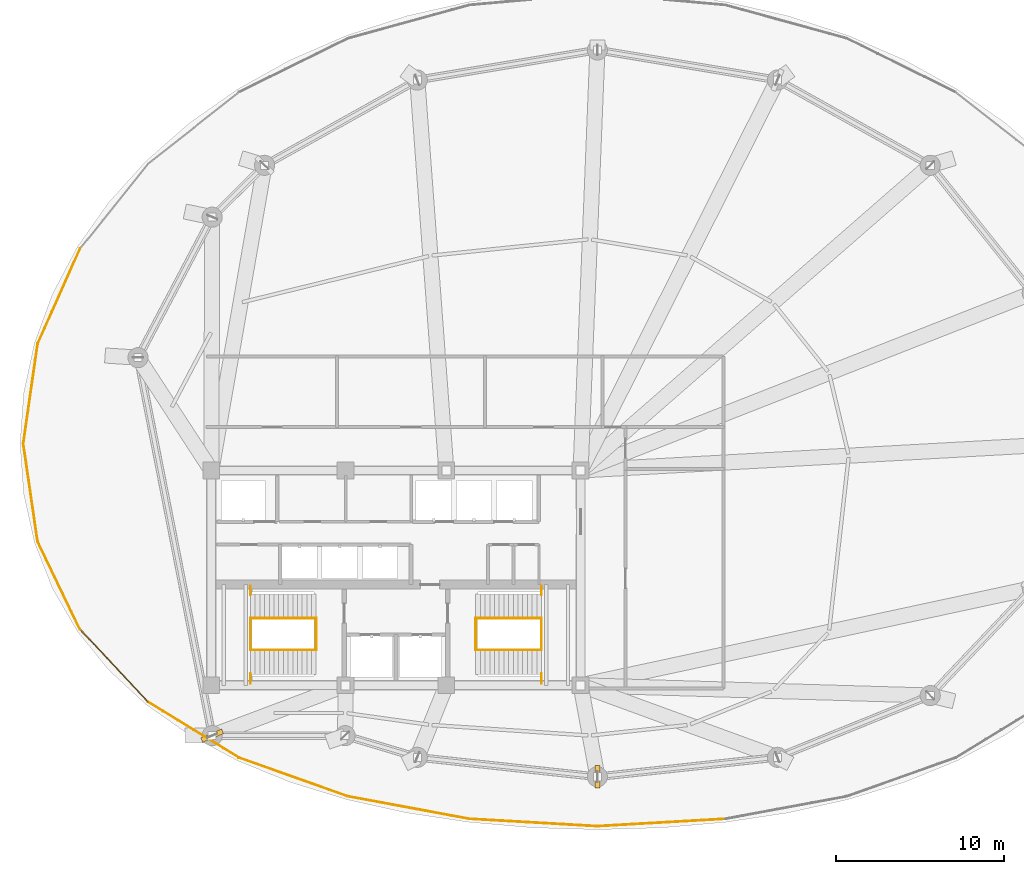
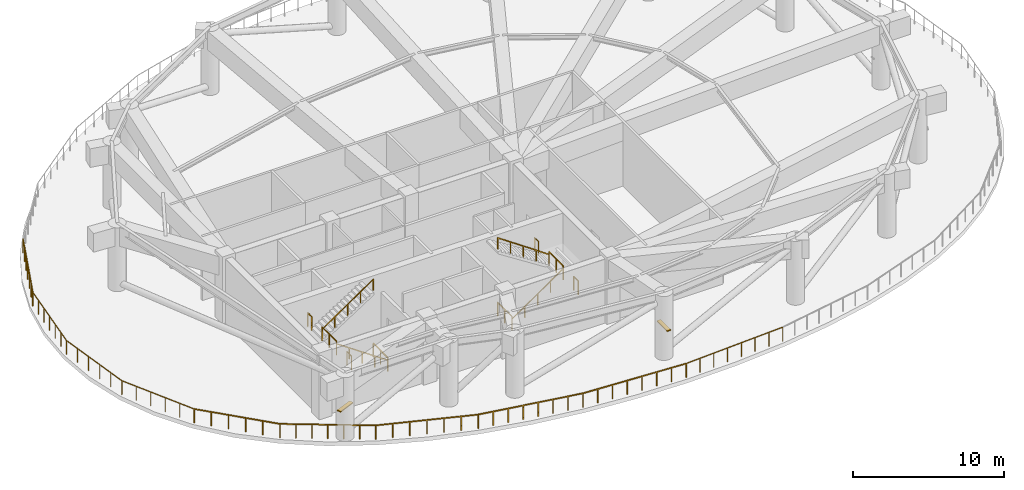
# One storey, part 8 of 9: 22 railings, 2 shading devices.
"""IFC4 building model written with IfcOpenShell, lengths in metres."""

from ifc_helpers import new_model, si_unit, direction, frame, origin, origin_2d, place, context, subcontext, project, spatial, rectangle, extrude, material, type_object, element, save


model = new_model("IFC4")

# Units and contexts
model_context = context("Model", 3, precision=1e-05, world=origin(), true_north=direction((0.0, 1.0)))
body_context = subcontext(model_context, "Body", "Model", "MODEL_VIEW")
ifc_project = project(units=[si_unit("LENGTHUNIT", "METRE"), si_unit("AREAUNIT", "SQUARE_METRE"), si_unit("VOLUMEUNIT", "CUBIC_METRE"), si_unit("PLANEANGLEUNIT", "RADIAN"), si_unit("MASSUNIT", "GRAM", prefix="KILO")], contexts=[model_context])

# Site, building, storey
site_placement = place(None, origin())
site = spatial("IfcSite", under=ifc_project, at=site_placement, CompositionType="ELEMENT")
building_placement = place(site_placement, origin())
building = spatial("IfcBuilding", under=site, at=building_placement, Name="Kazevale Care Tower and Concert Hall", CompositionType="ELEMENT")
storey_placement = place(building_placement, frame((0.0, 0.0, 181.800048828125)))
storey = spatial("IfcBuildingStorey", under=building, at=storey_placement, Name="L48", CompositionType="ELEMENT", Elevation=181.800048828125)

# Railings
ifc_material_1 = material(Name="Stainless Steel 316", Category="steel")
railing_type_1 = type_object("IfcRailingType", Name="Stair Pitch Handrail 920", PredefinedType="HANDRAIL", material=ifc_material_1)
railing_1_placement = place(storey_placement, frame((28.25, 25.699951171875, 0.0)))
element("IfcRailing", 1, at=railing_1_placement, inside=storey, type_object=railing_type_1, Name="stair:L48:ST1:hr1", PredefinedType="HANDRAIL", context=body_context, shape_type="SweptSolid", body=[
    extrude(rectangle(XDim=0.048095703125, YDim=0.048095703125, at=origin_2d()), frame((0.0, 0.0, 0.89599609375), z_axis=(-0.823550731654, 0.0, 0.567242622158), x_axis=(0.0, -1.0, 0.0)), (0.0, 0.0, 1.0), 4.759765625),
    extrude(rectangle(XDim=0.0419921875, YDim=0.0419921875, at=origin_2d()), origin(), (0.0, 0.0, 1.0), 0.871826171875),
    extrude(rectangle(XDim=0.0419921875, YDim=0.0419921875, at=origin_2d()), frame((-0.97998046875, 0.0, 0.675048828125)), (0.0, 0.0, 1.0), 0.871826171875),
    extrude(rectangle(XDim=0.0419921875, YDim=0.0419921875, at=origin_2d()), frame((-1.9599609375, 0.0, 1.35009765625)), (0.0, 0.0, 1.0), 0.871826171875),
    extrude(rectangle(XDim=0.0419921875, YDim=0.0419921875, at=origin_2d()), frame((-2.93994140625, 0.0, 2.02490234375)), (0.0, 0.0, 1.0), 0.871826171875),
    extrude(rectangle(XDim=0.0419921875, YDim=0.0419921875, at=origin_2d()), frame((-3.919921875, 0.0, 2.699951171875)), (0.0, 0.0, 1.0), 0.871826171875),
])
for number, where, name in (
    (2, (24.330078125, 27.60009765625, 2.699951171875), "stair:L48:ST1:hr2"),
    (3, (37.75, 25.699951171875, 0.0), "stair:L48:ST2:hr1"),
):
    element("IfcRailing", number, at=place(storey_placement, frame(where)), inside=storey, type_object=railing_type_1, Name=name, PredefinedType="HANDRAIL", context=body_context, shape_type="SweptSolid", body=[
        extrude(rectangle(XDim=0.048095703125, YDim=0.048095703125, at=origin_2d()), frame((0.0, 0.0, 0.89599609375), z_axis=(0.823550731654, 0.0, 0.567242622158), x_axis=(0.0, 1.0, 0.0)), (0.0, 0.0, 1.0), 4.759765625),
        extrude(rectangle(XDim=0.0419921875, YDim=0.0419921875, at=origin_2d()), origin(), (0.0, 0.0, 1.0), 0.871826171875),
        extrude(rectangle(XDim=0.0419921875, YDim=0.0419921875, at=origin_2d()), frame((0.97998046875, 0.0, 0.675048828125)), (0.0, 0.0, 1.0), 0.871826171875),
        extrude(rectangle(XDim=0.0419921875, YDim=0.0419921875, at=origin_2d()), frame((1.9599609375, 0.0, 1.35009765625)), (0.0, 0.0, 1.0), 0.871826171875),
        extrude(rectangle(XDim=0.0419921875, YDim=0.0419921875, at=origin_2d()), frame((2.93994140625, 0.0, 2.02490234375)), (0.0, 0.0, 1.0), 0.871826171875),
        extrude(rectangle(XDim=0.0419921875, YDim=0.0419921875, at=origin_2d()), frame((3.919921875, 0.0, 2.699951171875)), (0.0, 0.0, 1.0), 0.871826171875),
    ])
railing_2_placement = place(storey_placement, frame((41.669921875, 27.60009765625, 2.699951171875)))
element("IfcRailing", 4, at=railing_2_placement, inside=storey, type_object=railing_type_1, Name="stair:L48:ST2:hr2", PredefinedType="HANDRAIL", context=body_context, shape_type="SweptSolid", body=[
    extrude(rectangle(XDim=0.048095703125, YDim=0.048095703125, at=origin_2d()), frame((0.0, 0.0, 0.89599609375), z_axis=(-0.823550731654, 0.0, 0.567242622158), x_axis=(0.0, -1.0, 0.0)), (0.0, 0.0, 1.0), 4.759765625),
    extrude(rectangle(XDim=0.0419921875, YDim=0.0419921875, at=origin_2d()), origin(), (0.0, 0.0, 1.0), 0.871826171875),
    extrude(rectangle(XDim=0.0419921875, YDim=0.0419921875, at=origin_2d()), frame((-0.97998046875, 0.0, 0.675048828125)), (0.0, 0.0, 1.0), 0.871826171875),
    extrude(rectangle(XDim=0.0419921875, YDim=0.0419921875, at=origin_2d()), frame((-1.9599609375, 0.0, 1.35009765625)), (0.0, 0.0, 1.0), 0.871826171875),
    extrude(rectangle(XDim=0.0419921875, YDim=0.0419921875, at=origin_2d()), frame((-2.93994140625, 0.0, 2.02490234375)), (0.0, 0.0, 1.0), 0.871826171875),
    extrude(rectangle(XDim=0.0419921875, YDim=0.0419921875, at=origin_2d()), frame((-3.919921875, 0.0, 2.699951171875)), (0.0, 0.0, 1.0), 0.871826171875),
])
railing_type_2 = type_object("IfcRailingType", Name="Stair Well Guard Balustrade 1120", PredefinedType="BALUSTRADE", material=ifc_material_1)
railing_3_placement = place(storey_placement, frame((24.330078125, 23.699951171875, 2.699951171875)))
element("IfcRailing", 5, at=railing_3_placement, inside=storey, type_object=railing_type_2, Name="stair:L48:ST1:grd_side1", PredefinedType="BALUSTRADE", context=body_context, shape_type="SweptSolid", body=[
    extrude(rectangle(XDim=0.048095703125, YDim=0.048095703125, at=origin_2d()), frame((0.0, 0.0, 1.09619140625), z_axis=(0.0, 1.0, 0.0), x_axis=(-1.0, 0.0, 0.0)), (0.0, 0.0, 1.0), 0.610107421875),
    extrude(rectangle(XDim=0.0419921875, YDim=0.0419921875, at=origin_2d()), origin(), (0.0, 0.0, 1.0), 1.072021484375),
    extrude(rectangle(XDim=0.0419921875, YDim=0.0419921875, at=origin_2d()), frame((0.0, 0.610107421875, 0.0)), (0.0, 0.0, 1.0), 1.072021484375),
])
railing_4_placement = place(storey_placement, frame((24.330078125, 28.989990234375, 2.699951171875)))
element("IfcRailing", 6, at=railing_4_placement, inside=storey, type_object=railing_type_2, Name="stair:L48:ST1:grd_side2", PredefinedType="BALUSTRADE", context=body_context, shape_type="SweptSolid", body=[
    extrude(rectangle(XDim=0.048095703125, YDim=0.048095703125, at=origin_2d()), frame((0.0, 0.0, 1.09619140625), z_axis=(0.0, 1.0, 0.0), x_axis=(-1.0, 0.0, 0.0)), (0.0, 0.0, 1.0), 0.510009765625),
    extrude(rectangle(XDim=0.0419921875, YDim=0.0419921875, at=origin_2d()), origin(), (0.0, 0.0, 1.0), 1.072021484375),
    extrude(rectangle(XDim=0.0419921875, YDim=0.0419921875, at=origin_2d()), frame((0.0, 0.510009765625, 0.0)), (0.0, 0.0, 1.0), 1.072021484375),
])
for number, where, name in (
    (7, (24.330078125, 25.699951171875, 2.699951171875), "stair:L48:ST1:grd_mid"),
    (8, (28.25, 25.699951171875, 0.0), "stair:L48:ST1:grd_flr"),
):
    element("IfcRailing", number, at=place(storey_placement, frame(where)), inside=storey, type_object=railing_type_2, Name=name, PredefinedType="BALUSTRADE", context=body_context, shape_type="SweptSolid", body=[
        extrude(rectangle(XDim=0.048095703125, YDim=0.048095703125, at=origin_2d()), frame((0.0, 0.0, 1.09619140625), z_axis=(0.0, 1.0, 0.0), x_axis=(-1.0, 0.0, 0.0)), (0.0, 0.0, 1.0), 1.900146484375),
        extrude(rectangle(XDim=0.0419921875, YDim=0.0419921875, at=origin_2d()), origin(), (0.0, 0.0, 1.0), 1.072021484375),
        extrude(rectangle(XDim=0.0419921875, YDim=0.0419921875, at=origin_2d()), frame((0.0, 0.9501953125, 0.0)), (0.0, 0.0, 1.0), 1.072021484375),
        extrude(rectangle(XDim=0.0419921875, YDim=0.0419921875, at=origin_2d()), frame((0.0, 1.900146484375, 0.0)), (0.0, 0.0, 1.0), 1.072021484375),
    ])
railing_5_placement = place(storey_placement, frame((41.669921875, 23.699951171875, 2.699951171875)))
element("IfcRailing", 9, at=railing_5_placement, inside=storey, type_object=railing_type_2, Name="stair:L48:ST2:grd_side1", PredefinedType="BALUSTRADE", context=body_context, shape_type="SweptSolid", body=[
    extrude(rectangle(XDim=0.048095703125, YDim=0.048095703125, at=origin_2d()), frame((0.0, 0.0, 1.09619140625), z_axis=(0.0, 1.0, 0.0), x_axis=(-1.0, 0.0, 0.0)), (0.0, 0.0, 1.0), 0.610107421875),
    extrude(rectangle(XDim=0.0419921875, YDim=0.0419921875, at=origin_2d()), origin(), (0.0, 0.0, 1.0), 1.072021484375),
    extrude(rectangle(XDim=0.0419921875, YDim=0.0419921875, at=origin_2d()), frame((0.0, 0.610107421875, 0.0)), (0.0, 0.0, 1.0), 1.072021484375),
])
railing_6_placement = place(storey_placement, frame((41.669921875, 28.989990234375, 2.699951171875)))
element("IfcRailing", 10, at=railing_6_placement, inside=storey, type_object=railing_type_2, Name="stair:L48:ST2:grd_side2", PredefinedType="BALUSTRADE", context=body_context, shape_type="SweptSolid", body=[
    extrude(rectangle(XDim=0.048095703125, YDim=0.048095703125, at=origin_2d()), frame((0.0, 0.0, 1.09619140625), z_axis=(0.0, 1.0, 0.0), x_axis=(-1.0, 0.0, 0.0)), (0.0, 0.0, 1.0), 0.510009765625),
    extrude(rectangle(XDim=0.0419921875, YDim=0.0419921875, at=origin_2d()), origin(), (0.0, 0.0, 1.0), 1.072021484375),
    extrude(rectangle(XDim=0.0419921875, YDim=0.0419921875, at=origin_2d()), frame((0.0, 0.510009765625, 0.0)), (0.0, 0.0, 1.0), 1.072021484375),
])
for number, where, name in (
    (11, (41.669921875, 25.699951171875, 2.699951171875), "stair:L48:ST2:grd_mid"),
    (12, (37.75, 25.699951171875, 0.0), "stair:L48:ST2:grd_flr"),
):
    element("IfcRailing", number, at=place(storey_placement, frame(where)), inside=storey, type_object=railing_type_2, Name=name, PredefinedType="BALUSTRADE", context=body_context, shape_type="SweptSolid", body=[
        extrude(rectangle(XDim=0.048095703125, YDim=0.048095703125, at=origin_2d()), frame((0.0, 0.0, 1.09619140625), z_axis=(0.0, 1.0, 0.0), x_axis=(-1.0, 0.0, 0.0)), (0.0, 0.0, 1.0), 1.900146484375),
        extrude(rectangle(XDim=0.0419921875, YDim=0.0419921875, at=origin_2d()), origin(), (0.0, 0.0, 1.0), 1.072021484375),
        extrude(rectangle(XDim=0.0419921875, YDim=0.0419921875, at=origin_2d()), frame((0.0, 0.9501953125, 0.0)), (0.0, 0.0, 1.0), 1.072021484375),
        extrude(rectangle(XDim=0.0419921875, YDim=0.0419921875, at=origin_2d()), frame((0.0, 1.900146484375, 0.0)), (0.0, 0.0, 1.0), 1.072021484375),
    ])
railing_type_3 = type_object("IfcRailingType", Name="Wind-Floor & Portal Guardrail 1150", PredefinedType="BALUSTRADE", material=ifc_material_1)
railing_7_placement = place(storey_placement, frame((52.631103515625, 15.638916015625, 0.0)))
element("IfcRailing", 13, at=railing_7_placement, inside=storey, type_object=railing_type_3, Name="rail:L48:wind_perim:07", PredefinedType="BALUSTRADE", context=body_context, shape_type="SweptSolid", body=[
    extrude(rectangle(XDim=0.048095703125, YDim=0.048095703125, at=origin_2d()), frame((0.0, 0.0, 1.1259765625), z_axis=(-0.998349640171, -0.057428180984, 0.0), x_axis=(0.057428180984, -0.998349640171, 0.0)), (0.0, 0.0, 1.0), 7.643798828125),
    extrude(rectangle(XDim=0.0419921875, YDim=0.0419921875, at=origin_2d()), origin(), (0.0, 0.0, 1.0), 1.101806640625),
    extrude(rectangle(XDim=0.0419921875, YDim=0.0419921875, at=origin_2d()), frame((-1.090087890625, -0.062744140625, 0.0)), (0.0, 0.0, 1.0), 1.101806640625),
    extrude(rectangle(XDim=0.0419921875, YDim=0.0419921875, at=origin_2d()), frame((-2.180419921875, -0.12548828125, 0.0)), (0.0, 0.0, 1.0), 1.101806640625),
    extrude(rectangle(XDim=0.0419921875, YDim=0.0419921875, at=origin_2d()), frame((-3.2705078125, -0.188232421875, 0.0)), (0.0, 0.0, 1.0), 1.101806640625),
    extrude(rectangle(XDim=0.0419921875, YDim=0.0419921875, at=origin_2d()), frame((-4.360595703125, -0.250732421875, 0.0)), (0.0, 0.0, 1.0), 1.101806640625),
    extrude(rectangle(XDim=0.0419921875, YDim=0.0419921875, at=origin_2d()), frame((-5.45068359375, -0.3134765625, 0.0)), (0.0, 0.0, 1.0), 1.101806640625),
    extrude(rectangle(XDim=0.0419921875, YDim=0.0419921875, at=origin_2d()), frame((-6.541015625, -0.376220703125, 0.0)), (0.0, 0.0, 1.0), 1.101806640625),
    extrude(rectangle(XDim=0.0419921875, YDim=0.0419921875, at=origin_2d()), frame((-7.631103515625, -0.43896484375, 0.0)), (0.0, 0.0, 1.0), 1.101806640625),
])
railing_8_placement = place(storey_placement, frame((45.0, 15.199951171875, 0.0)))
element("IfcRailing", 14, at=railing_8_placement, inside=storey, type_object=railing_type_3, Name="rail:L48:wind_perim:08", PredefinedType="BALUSTRADE", context=body_context, shape_type="SweptSolid", body=[
    extrude(rectangle(XDim=0.048095703125, YDim=0.048095703125, at=origin_2d()), frame((0.0, 0.0, 1.1259765625), z_axis=(-0.998349640171, 0.057428180984, 0.0), x_axis=(-0.057428180984, -0.998349640171, 0.0)), (0.0, 0.0, 1.0), 7.643798828125),
    extrude(rectangle(XDim=0.0419921875, YDim=0.0419921875, at=origin_2d()), origin(), (0.0, 0.0, 1.0), 1.101806640625),
    extrude(rectangle(XDim=0.0419921875, YDim=0.0419921875, at=origin_2d()), frame((-1.090087890625, 0.062744140625, 0.0)), (0.0, 0.0, 1.0), 1.101806640625),
    extrude(rectangle(XDim=0.0419921875, YDim=0.0419921875, at=origin_2d()), frame((-2.180419921875, 0.12548828125, 0.0)), (0.0, 0.0, 1.0), 1.101806640625),
    extrude(rectangle(XDim=0.0419921875, YDim=0.0419921875, at=origin_2d()), frame((-3.2705078125, 0.188232421875, 0.0)), (0.0, 0.0, 1.0), 1.101806640625),
    extrude(rectangle(XDim=0.0419921875, YDim=0.0419921875, at=origin_2d()), frame((-4.360595703125, 0.250732421875, 0.0)), (0.0, 0.0, 1.0), 1.101806640625),
    extrude(rectangle(XDim=0.0419921875, YDim=0.0419921875, at=origin_2d()), frame((-5.45068359375, 0.3134765625, 0.0)), (0.0, 0.0, 1.0), 1.101806640625),
    extrude(rectangle(XDim=0.0419921875, YDim=0.0419921875, at=origin_2d()), frame((-6.541015625, 0.376220703125, 0.0)), (0.0, 0.0, 1.0), 1.101806640625),
    extrude(rectangle(XDim=0.0419921875, YDim=0.0419921875, at=origin_2d()), frame((-7.631103515625, 0.43896484375, 0.0)), (0.0, 0.0, 1.0), 1.101806640625),
])
railing_9_placement = place(storey_placement, frame((37.368896484375, 15.638916015625, 0.0)))
element("IfcRailing", 15, at=railing_9_placement, inside=storey, type_object=railing_type_3, Name="rail:L48:wind_perim:09", PredefinedType="BALUSTRADE", context=body_context, shape_type="SweptSolid", body=[
    extrude(rectangle(XDim=0.048095703125, YDim=0.048095703125, at=origin_2d()), frame((0.0, 0.0, 1.1259765625), z_axis=(-0.98324418689, 0.182293359579, 0.0), x_axis=(-0.182293359579, -0.98324418689, 0.0)), (0.0, 0.0, 1.0), 7.367431640625),
    extrude(rectangle(XDim=0.0419921875, YDim=0.0419921875, at=origin_2d()), origin(), (0.0, 0.0, 1.0), 1.101806640625),
    extrude(rectangle(XDim=0.0419921875, YDim=0.0419921875, at=origin_2d()), frame((-1.034912109375, 0.19189453125, 0.0)), (0.0, 0.0, 1.0), 1.101806640625),
    extrude(rectangle(XDim=0.0419921875, YDim=0.0419921875, at=origin_2d()), frame((-2.069580078125, 0.3837890625, 0.0)), (0.0, 0.0, 1.0), 1.101806640625),
    extrude(rectangle(XDim=0.0419921875, YDim=0.0419921875, at=origin_2d()), frame((-3.1044921875, 0.57568359375, 0.0)), (0.0, 0.0, 1.0), 1.101806640625),
    extrude(rectangle(XDim=0.0419921875, YDim=0.0419921875, at=origin_2d()), frame((-4.139404296875, 0.767333984375, 0.0)), (0.0, 0.0, 1.0), 1.101806640625),
    extrude(rectangle(XDim=0.0419921875, YDim=0.0419921875, at=origin_2d()), frame((-5.17431640625, 0.959228515625, 0.0)), (0.0, 0.0, 1.0), 1.101806640625),
    extrude(rectangle(XDim=0.0419921875, YDim=0.0419921875, at=origin_2d()), frame((-6.208984375, 1.151123046875, 0.0)), (0.0, 0.0, 1.0), 1.101806640625),
    extrude(rectangle(XDim=0.0419921875, YDim=0.0419921875, at=origin_2d()), frame((-7.243896484375, 1.343017578125, 0.0)), (0.0, 0.0, 1.0), 1.101806640625),
])
railing_10_placement = place(storey_placement, frame((30.125, 16.98193359375, 0.0)))
element("IfcRailing", 16, at=railing_10_placement, inside=storey, type_object=railing_type_3, Name="rail:L48:wind_perim:10", PredefinedType="BALUSTRADE", context=body_context, shape_type="SweptSolid", body=[
    extrude(rectangle(XDim=0.048095703125, YDim=0.048095703125, at=origin_2d()), frame((0.0, 0.0, 1.1259765625), z_axis=(-0.942247017666, 0.334918732977, 0.0), x_axis=(-0.334918732977, -0.942247017666, 0.0)), (0.0, 0.0, 1.0), 6.8857421875),
    extrude(rectangle(XDim=0.0419921875, YDim=0.0419921875, at=origin_2d()), origin(), (0.0, 0.0, 1.0), 1.101806640625),
    extrude(rectangle(XDim=0.0419921875, YDim=0.0419921875, at=origin_2d()), frame((-1.081298828125, 0.38427734375, 0.0)), (0.0, 0.0, 1.0), 1.101806640625),
    extrude(rectangle(XDim=0.0419921875, YDim=0.0419921875, at=origin_2d()), frame((-2.16259765625, 0.768798828125, 0.0)), (0.0, 0.0, 1.0), 1.101806640625),
    extrude(rectangle(XDim=0.0419921875, YDim=0.0419921875, at=origin_2d()), frame((-3.244140625, 1.153076171875, 0.0)), (0.0, 0.0, 1.0), 1.101806640625),
    extrude(rectangle(XDim=0.0419921875, YDim=0.0419921875, at=origin_2d()), frame((-4.325439453125, 1.537353515625, 0.0)), (0.0, 0.0, 1.0), 1.101806640625),
    extrude(rectangle(XDim=0.0419921875, YDim=0.0419921875, at=origin_2d()), frame((-5.40673828125, 1.921875, 0.0)), (0.0, 0.0, 1.0), 1.101806640625),
    extrude(rectangle(XDim=0.0419921875, YDim=0.0419921875, at=origin_2d()), frame((-6.488037109375, 2.30615234375, 0.0)), (0.0, 0.0, 1.0), 1.101806640625),
])
railing_11_placement = place(storey_placement, frame((23.636962890625, 19.2880859375, 0.0)))
element("IfcRailing", 17, at=railing_11_placement, inside=storey, type_object=railing_type_3, Name="rail:L48:wind_perim:11", PredefinedType="BALUSTRADE", context=body_context, shape_type="SweptSolid", body=[
    extrude(rectangle(XDim=0.048095703125, YDim=0.048095703125, at=origin_2d()), frame((0.0, 0.0, 1.1259765625), z_axis=(-0.852078192854, 0.523414513806, 0.0), x_axis=(-0.523414513806, -0.852078192854, 0.0)), (0.0, 0.0, 1.0), 6.344482421875),
    extrude(rectangle(XDim=0.0419921875, YDim=0.0419921875, at=origin_2d()), origin(), (0.0, 0.0, 1.0), 1.101806640625),
    extrude(rectangle(XDim=0.0419921875, YDim=0.0419921875, at=origin_2d()), frame((-0.90087890625, 0.553466796875, 0.0)), (0.0, 0.0, 1.0), 1.101806640625),
    extrude(rectangle(XDim=0.0419921875, YDim=0.0419921875, at=origin_2d()), frame((-1.802001953125, 1.10693359375, 0.0)), (0.0, 0.0, 1.0), 1.101806640625),
    extrude(rectangle(XDim=0.0419921875, YDim=0.0419921875, at=origin_2d()), frame((-2.703125, 1.660400390625, 0.0)), (0.0, 0.0, 1.0), 1.101806640625),
    extrude(rectangle(XDim=0.0419921875, YDim=0.0419921875, at=origin_2d()), frame((-3.60400390625, 2.2138671875, 0.0)), (0.0, 0.0, 1.0), 1.101806640625),
    extrude(rectangle(XDim=0.0419921875, YDim=0.0419921875, at=origin_2d()), frame((-4.5048828125, 2.767333984375, 0.0)), (0.0, 0.0, 1.0), 1.101806640625),
    extrude(rectangle(XDim=0.0419921875, YDim=0.0419921875, at=origin_2d()), frame((-5.406005859375, 3.32080078125, 0.0)), (0.0, 0.0, 1.0), 1.101806640625),
])
railing_12_placement = place(storey_placement, frame((18.23095703125, 22.60888671875, 0.0)))
element("IfcRailing", 18, at=railing_12_placement, inside=storey, type_object=railing_type_3, Name="rail:L48:wind_perim:12", PredefinedType="BALUSTRADE", context=body_context, shape_type="SweptSolid", body=[
    extrude(rectangle(XDim=0.048095703125, YDim=0.048095703125, at=origin_2d()), frame((0.0, 0.0, 1.1259765625), z_axis=(-0.683968498687, 0.729511543983, 0.0), x_axis=(-0.729511543983, -0.683968498687, 0.0)), (0.0, 0.0, 1.0), 5.934326171875),
    extrude(rectangle(XDim=0.0419921875, YDim=0.0419921875, at=origin_2d()), origin(), (0.0, 0.0, 1.0), 1.101806640625),
    extrude(rectangle(XDim=0.0419921875, YDim=0.0419921875, at=origin_2d()), frame((-0.811767578125, 0.86572265625, 0.0)), (0.0, 0.0, 1.0), 1.101806640625),
    extrude(rectangle(XDim=0.0419921875, YDim=0.0419921875, at=origin_2d()), frame((-1.62353515625, 1.731689453125, 0.0)), (0.0, 0.0, 1.0), 1.101806640625),
    extrude(rectangle(XDim=0.0419921875, YDim=0.0419921875, at=origin_2d()), frame((-2.435302734375, 2.597412109375, 0.0)), (0.0, 0.0, 1.0), 1.101806640625),
    extrude(rectangle(XDim=0.0419921875, YDim=0.0419921875, at=origin_2d()), frame((-3.2470703125, 3.46337890625, 0.0)), (0.0, 0.0, 1.0), 1.101806640625),
    extrude(rectangle(XDim=0.0419921875, YDim=0.0419921875, at=origin_2d()), frame((-4.058837890625, 4.3291015625, 0.0)), (0.0, 0.0, 1.0), 1.101806640625),
])
railing_13_placement = place(storey_placement, frame((14.172119140625, 26.93798828125, 0.0)))
element("IfcRailing", 19, at=railing_13_placement, inside=storey, type_object=railing_type_3, Name="rail:L48:wind_perim:13", PredefinedType="BALUSTRADE", context=body_context, shape_type="SweptSolid", body=[
    extrude(rectangle(XDim=0.048095703125, YDim=0.048095703125, at=origin_2d()), frame((0.0, 0.0, 1.1259765625), z_axis=(-0.43441452146, 0.900713063936, 0.0), x_axis=(-0.900713063936, -0.43441452146, 0.0)), (0.0, 0.0, 1.0), 5.79638671875),
    extrude(rectangle(XDim=0.0419921875, YDim=0.0419921875, at=origin_2d()), origin(), (0.0, 0.0, 1.0), 1.101806640625),
    extrude(rectangle(XDim=0.0419921875, YDim=0.0419921875, at=origin_2d()), frame((-0.503662109375, 1.044189453125, 0.0)), (0.0, 0.0, 1.0), 1.101806640625),
    extrude(rectangle(XDim=0.0419921875, YDim=0.0419921875, at=origin_2d()), frame((-1.00732421875, 2.08837890625, 0.0)), (0.0, 0.0, 1.0), 1.101806640625),
    extrude(rectangle(XDim=0.0419921875, YDim=0.0419921875, at=origin_2d()), frame((-1.5107421875, 3.132568359375, 0.0)), (0.0, 0.0, 1.0), 1.101806640625),
    extrude(rectangle(XDim=0.0419921875, YDim=0.0419921875, at=origin_2d()), frame((-2.014404296875, 4.1767578125, 0.0)), (0.0, 0.0, 1.0), 1.101806640625),
    extrude(rectangle(XDim=0.0419921875, YDim=0.0419921875, at=origin_2d()), frame((-2.51806640625, 5.220947265625, 0.0)), (0.0, 0.0, 1.0), 1.101806640625),
])
railing_14_placement = place(storey_placement, frame((11.654052734375, 32.158935546875, 0.0)))
element("IfcRailing", 20, at=railing_14_placement, inside=storey, type_object=railing_type_3, Name="rail:L48:wind_perim:14", PredefinedType="BALUSTRADE", context=body_context, shape_type="SweptSolid", body=[
    extrude(rectangle(XDim=0.048095703125, YDim=0.048095703125, at=origin_2d()), frame((0.0, 0.0, 1.1259765625), z_axis=(-0.144506845544, 0.989503800696, 0.0), x_axis=(-0.989503800696, -0.144506845544, 0.0)), (0.0, 0.0, 1.0), 5.903076171875),
    extrude(rectangle(XDim=0.0419921875, YDim=0.0419921875, at=origin_2d()), origin(), (0.0, 0.0, 1.0), 1.101806640625),
    extrude(rectangle(XDim=0.0419921875, YDim=0.0419921875, at=origin_2d()), frame((-0.170654296875, 1.168212890625, 0.0)), (0.0, 0.0, 1.0), 1.101806640625),
    extrude(rectangle(XDim=0.0419921875, YDim=0.0419921875, at=origin_2d()), frame((-0.34130859375, 2.33642578125, 0.0)), (0.0, 0.0, 1.0), 1.101806640625),
    extrude(rectangle(XDim=0.0419921875, YDim=0.0419921875, at=origin_2d()), frame((-0.51171875, 3.504638671875, 0.0)), (0.0, 0.0, 1.0), 1.101806640625),
    extrude(rectangle(XDim=0.0419921875, YDim=0.0419921875, at=origin_2d()), frame((-0.682373046875, 4.6728515625, 0.0)), (0.0, 0.0, 1.0), 1.101806640625),
    extrude(rectangle(XDim=0.0419921875, YDim=0.0419921875, at=origin_2d()), frame((-0.85302734375, 5.841064453125, 0.0)), (0.0, 0.0, 1.0), 1.101806640625),
])
railing_15_placement = place(storey_placement, frame((10.801025390625, 38.0, 0.0)))
element("IfcRailing", 21, at=railing_15_placement, inside=storey, type_object=railing_type_3, Name="rail:L48:wind_perim:15", PredefinedType="BALUSTRADE", context=body_context, shape_type="SweptSolid", body=[
    extrude(rectangle(XDim=0.048095703125, YDim=0.048095703125, at=origin_2d()), frame((0.0, 0.0, 1.1259765625), z_axis=(0.142029563639, 0.989862416224, 0.0), x_axis=(-0.989862416224, 0.142029563639, 0.0)), (0.0, 0.0, 1.0), 6.012939453125),
    extrude(rectangle(XDim=0.0419921875, YDim=0.0419921875, at=origin_2d()), origin(), (0.0, 0.0, 1.0), 1.101806640625),
    extrude(rectangle(XDim=0.0419921875, YDim=0.0419921875, at=origin_2d()), frame((0.142333984375, 0.991943359375, 0.0)), (0.0, 0.0, 1.0), 1.101806640625),
    extrude(rectangle(XDim=0.0419921875, YDim=0.0419921875, at=origin_2d()), frame((0.28466796875, 1.98388671875, 0.0)), (0.0, 0.0, 1.0), 1.101806640625),
    extrude(rectangle(XDim=0.0419921875, YDim=0.0419921875, at=origin_2d()), frame((0.427001953125, 2.97607421875, 0.0)), (0.0, 0.0, 1.0), 1.101806640625),
    extrude(rectangle(XDim=0.0419921875, YDim=0.0419921875, at=origin_2d()), frame((0.5693359375, 3.968017578125, 0.0)), (0.0, 0.0, 1.0), 1.101806640625),
    extrude(rectangle(XDim=0.0419921875, YDim=0.0419921875, at=origin_2d()), frame((0.711669921875, 4.9599609375, 0.0)), (0.0, 0.0, 1.0), 1.101806640625),
    extrude(rectangle(XDim=0.0419921875, YDim=0.0419921875, at=origin_2d()), frame((0.85400390625, 5.951904296875, 0.0)), (0.0, 0.0, 1.0), 1.101806640625),
])
railing_16_placement = place(storey_placement, frame((11.655029296875, 43.951904296875, 0.0)))
element("IfcRailing", 22, at=railing_16_placement, inside=storey, type_object=railing_type_3, Name="rail:L48:wind_perim:16", PredefinedType="BALUSTRADE", context=body_context, shape_type="SweptSolid", body=[
    extrude(rectangle(XDim=0.048095703125, YDim=0.048095703125, at=origin_2d()), frame((0.0, 0.0, 1.1259765625), z_axis=(0.407242406433, 0.913320109492, 0.0), x_axis=(-0.913320109492, 0.407242406433, 0.0)), (0.0, 0.0, 1.0), 6.1953125),
    extrude(rectangle(XDim=0.0419921875, YDim=0.0419921875, at=origin_2d()), origin(), (0.0, 0.0, 1.0), 1.101806640625),
    extrude(rectangle(XDim=0.0419921875, YDim=0.0419921875, at=origin_2d()), frame((0.42041015625, 0.943115234375, 0.0)), (0.0, 0.0, 1.0), 1.101806640625),
    extrude(rectangle(XDim=0.0419921875, YDim=0.0419921875, at=origin_2d()), frame((0.841064453125, 1.885986328125, 0.0)), (0.0, 0.0, 1.0), 1.101806640625),
    extrude(rectangle(XDim=0.0419921875, YDim=0.0419921875, at=origin_2d()), frame((1.261474609375, 2.8291015625, 0.0)), (0.0, 0.0, 1.0), 1.101806640625),
    extrude(rectangle(XDim=0.0419921875, YDim=0.0419921875, at=origin_2d()), frame((1.681884765625, 3.772216796875, 0.0)), (0.0, 0.0, 1.0), 1.101806640625),
    extrude(rectangle(XDim=0.0419921875, YDim=0.0419921875, at=origin_2d()), frame((2.1025390625, 4.715087890625, 0.0)), (0.0, 0.0, 1.0), 1.101806640625),
    extrude(rectangle(XDim=0.0419921875, YDim=0.0419921875, at=origin_2d()), frame((2.52294921875, 5.658203125, 0.0)), (0.0, 0.0, 1.0), 1.101806640625),
])

# Shading devices
ifc_material_2 = material(Name="Aluminium 6063-T6", Category="aluminium")
shading_device_type = type_object("IfcShadingDeviceType", Name="Wind-Floor Acoustic Storm Louvre Blade LVR-01", PredefinedType="USERDEFINED", material=ifc_material_2)
for number, where, z_axis, x_axis, name in (
    (23, (22.050048828125, 20.60009765625, 2.35986328125), (0.0, 0.0, 1.0), (-0.923879532511, -0.382683432365, 0.0), "louvre:L48:10"),
    (24, (45.0, 18.14990234375, 2.35986328125), (0.0, 0.0, 1.0), (0.0, -1.0, 0.0), "louvre:L48:13"),
):
    element("IfcShadingDevice", number, at=place(storey_placement, frame(where, z_axis=z_axis, x_axis=x_axis)), inside=storey, type_object=shading_device_type, Name=name, ObjectType="LOUVRE", PredefinedType="USERDEFINED", context=body_context, shape_type="SweptSolid", body=[
        extrude(rectangle(XDim=1.35009765625, YDim=0.300048828125, at=origin_2d()), origin(), (0.0, 0.0, 1.0), 0.080078125),
    ])

save(model, "model.ifc")
